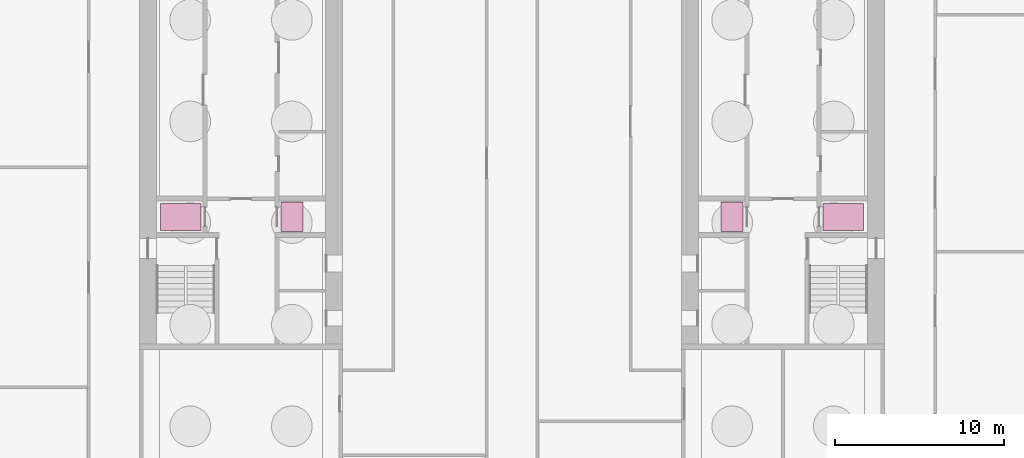
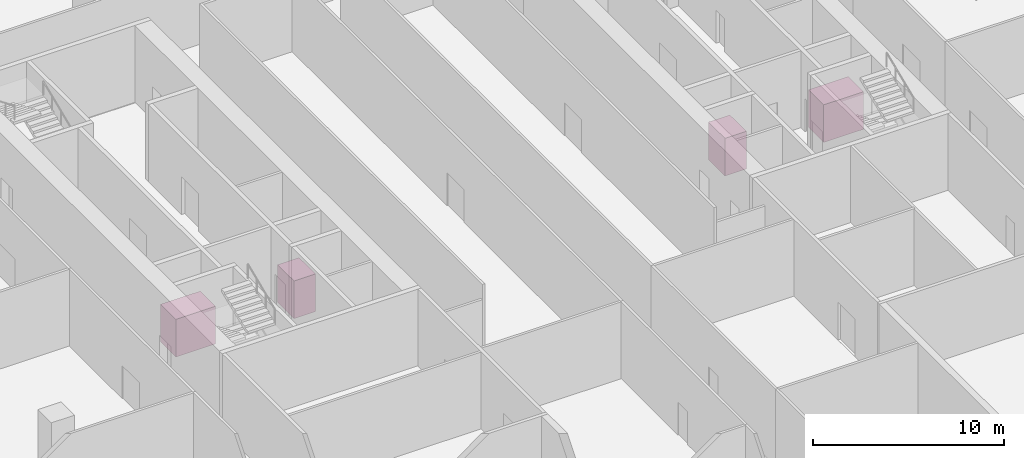
# One storey, part 14 of 14: 4 transport elements.
"""IFC4 building model written with IfcOpenShell, lengths in metres."""

from ifc_helpers import new_model, si_unit, direction, frame, origin, origin_2d, place, context, subcontext, project, spatial, rectangle, extrude, material, type_object, element, save


model = new_model("IFC4")

# Units and contexts
model_context = context("Model", 3, precision=1e-05, world=origin(), true_north=direction((0.0, 1.0)))
body_context = subcontext(model_context, "Body", "Model", "MODEL_VIEW")
ifc_project = project(units=[si_unit("LENGTHUNIT", "METRE"), si_unit("AREAUNIT", "SQUARE_METRE"), si_unit("VOLUMEUNIT", "CUBIC_METRE"), si_unit("PLANEANGLEUNIT", "RADIAN"), si_unit("MASSUNIT", "GRAM", prefix="KILO")], contexts=[model_context])

# Site, building, storey
site_placement = place(None, origin())
site = spatial("IfcSite", under=ifc_project, at=site_placement, CompositionType="ELEMENT")
building_placement = place(site_placement, origin())
building = spatial("IfcBuilding", under=site, at=building_placement, Name="Ogive Exchange Tower", CompositionType="ELEMENT")
storey_placement = place(building_placement, frame((0.0, 0.0, -10.39990234375)))
storey = spatial("IfcBuildingStorey", under=building, at=storey_placement, Name="B2", CompositionType="ELEMENT", Elevation=-10.39990234375)

# Transport elements
ifc_material = material(Name="Stainless steel", Category="steel")
transport_element_type_1 = type_object("IfcTransportElementType", Name="Firefighting lift 1600 x 2400", PredefinedType="ELEVATOR", material=ifc_material)
for number, where, z_axis, x_axis, name in (
    (1, (-19.550048828125, 5.0712890625, 0.0), (0.0, 0.0, 1.0), (1.0, 0.0, 0.0), "Firefighting lift FF1"),
    (2, (19.550048828125, 5.0712890625, 0.0), (0.0, 0.0, 1.0), (1.0, 0.0, 0.0), "Firefighting lift FF2"),
):
    element("IfcTransportElement", number, at=place(storey_placement, frame(where, z_axis=z_axis, x_axis=x_axis)), inside=storey, type_object=transport_element_type_1, Name=name, PredefinedType="ELEVATOR", context=body_context, shape_type="SweptSolid", body=[
        extrude(rectangle(XDim=2.39990234375, YDim=1.60009765625, at=origin_2d()), origin(), (0.0, 0.0, 1.0), 2.39990234375),
    ])
transport_element_type_2 = type_object("IfcTransportElementType", Name="Service lift 1725 x 1295", PredefinedType="ELEVATOR", material=ifc_material)
for number, where, z_axis, x_axis, name in (
    (3, (-13.00244140625, 5.0712890625, 0.0), (0.0, 0.0, 1.0), (1.0, 0.0, 0.0), "Service lift SV1"),
    (4, (13.00244140625, 5.0712890625, 0.0), (0.0, 0.0, 1.0), (1.0, 0.0, 0.0), "Service lift SV2"),
):
    element("IfcTransportElement", number, at=place(storey_placement, frame(where, z_axis=z_axis, x_axis=x_axis)), inside=storey, type_object=transport_element_type_2, Name=name, PredefinedType="ELEVATOR", context=body_context, shape_type="SweptSolid", body=[
        extrude(rectangle(XDim=1.294921875, YDim=1.72509765625, at=origin_2d()), origin(), (0.0, 0.0, 1.0), 2.39990234375),
    ])

save(model, "model.ifc")
